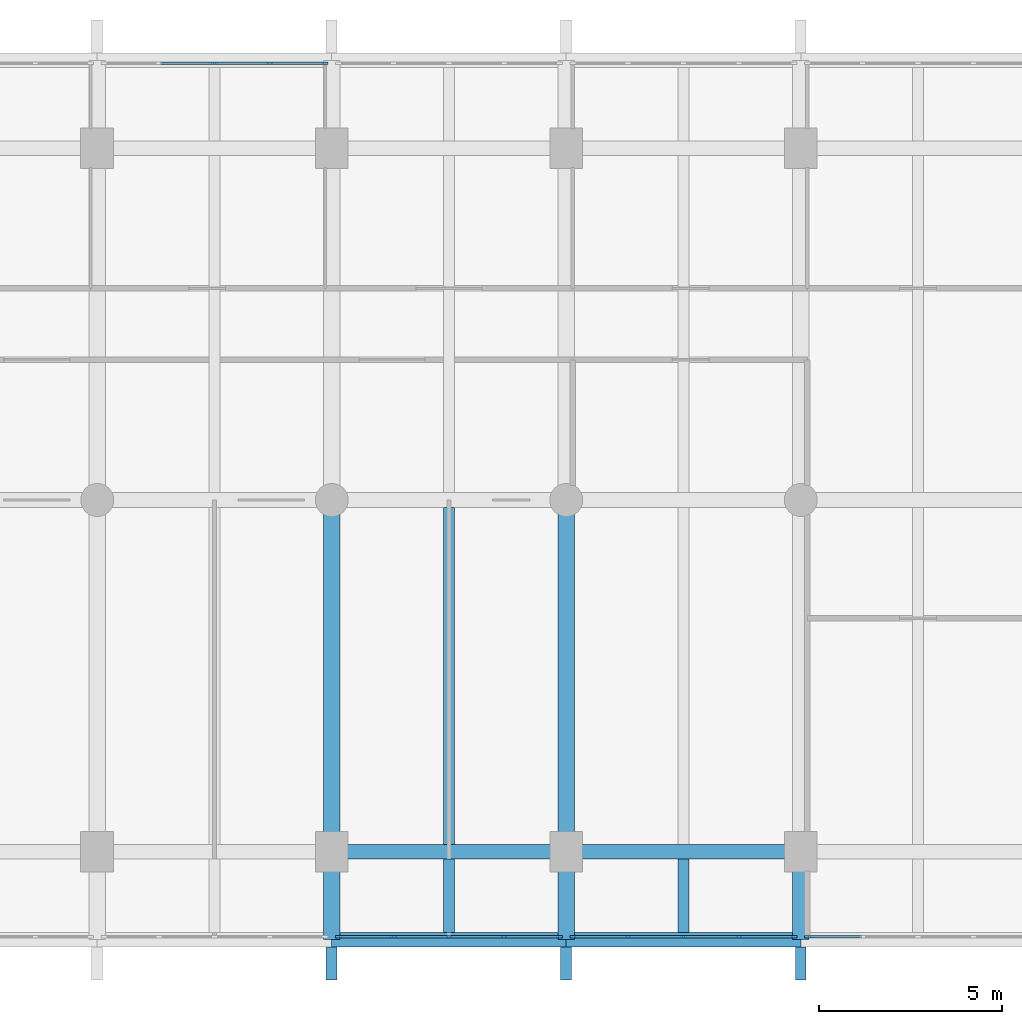
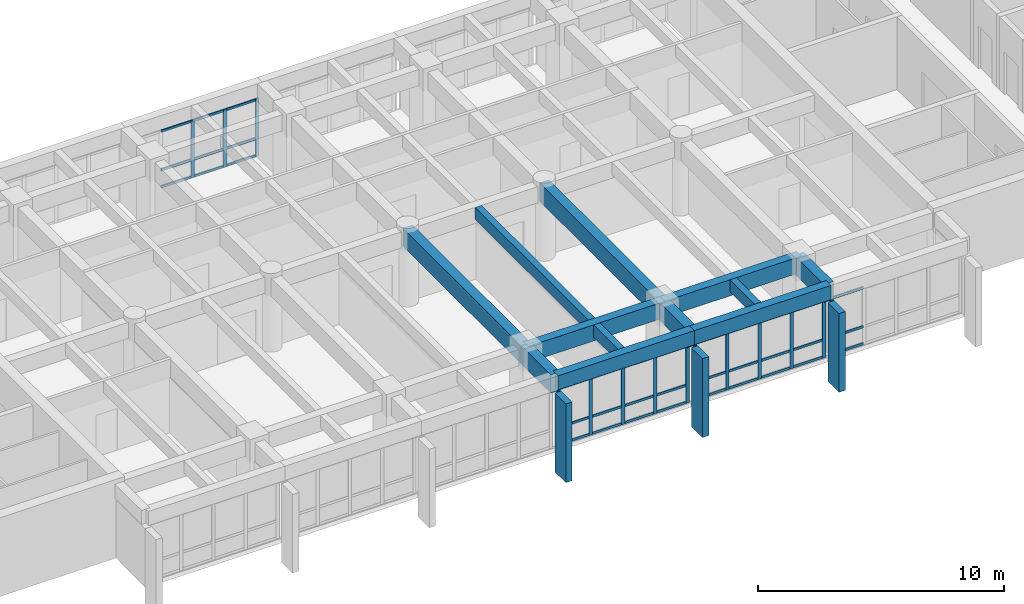
# One storey, part 4 of 15: 53 members, 12 beams, 4 elements without a shape of their own.
"""IFC4 building model written with IfcOpenShell, lengths in metres."""

from ifc_helpers import new_model, si_unit, direction, frame, origin, origin_2d, place, context, subcontext, project, spatial, rectangle, extrude, material, layer, layer_set, material_profile, profile_set, type_object, element, aggregate, save


model = new_model("IFC4")

# Units and contexts
model_context = context("Model", 3, precision=1e-05, world=origin(), true_north=direction((0.0, 1.0)))
body_context = subcontext(model_context, "Body", "Model", "MODEL_VIEW")
ifc_project = project(units=[si_unit("LENGTHUNIT", "METRE"), si_unit("AREAUNIT", "SQUARE_METRE"), si_unit("VOLUMEUNIT", "CUBIC_METRE"), si_unit("PLANEANGLEUNIT", "RADIAN"), si_unit("MASSUNIT", "GRAM", prefix="KILO")], contexts=[model_context])

# Site, building, storey
site_placement = place(None, origin())
site = spatial("IfcSite", under=ifc_project, at=site_placement, CompositionType="ELEMENT")
building_placement = place(site_placement, origin())
building = spatial("IfcBuilding", under=site, at=building_placement, Name="Fogon Plaza Fire Station and Headquarters Tower", CompositionType="ELEMENT")
storey_placement = place(building_placement, frame((0.0, 0.0, 44.39990234375)))
storey = spatial("IfcBuildingStorey", under=building, at=storey_placement, Name="L11", CompositionType="ELEMENT", Elevation=44.39990234375)

# Beams
ifc_material_1 = material(Name="Concrete C40", Category="concrete")
ifc_material_profile_1 = material_profile(ifc_material_1, rectangle(XDim=0.39990234375, YDim=0.699951171875, at=origin_2d()), Name="RC 400x700")
ifc_profile_set_1 = profile_set([ifc_material_profile_1], Name="Concrete C40")
beam_type_1 = type_object("IfcBeamType", Name="BEAM RC 400x700", PredefinedType="BEAM", material=ifc_profile_set_1)
beam_1_placement = place(storey_placement, frame((44.800048828125, 31.199951171875, 3.330078125), z_axis=(1.0, 0.0, 0.0), x_axis=(0.0, 1.0, 0.0)))
element("IfcBeam", 1, at=beam_1_placement, inside=storey, type_object=beam_type_1, Name="beam-L11-042", PredefinedType="BEAM", context=body_context, shape_type="SweptSolid", body=[
    extrude(rectangle(XDim=0.39990234375, YDim=0.699951171875, at=origin_2d()), origin(), (0.0, 0.0, 1.0), 6.39990234375),
])
beam_2_placement = place(storey_placement, frame((51.199951171875, 31.199951171875, 3.330078125), z_axis=(1.0, 0.0, 0.0), x_axis=(0.0, 1.0, 0.0)))
element("IfcBeam", 2, at=beam_2_placement, inside=storey, type_object=beam_type_1, Name="beam-L11-043", PredefinedType="BEAM", context=body_context, shape_type="SweptSolid", body=[
    extrude(rectangle(XDim=0.39990234375, YDim=0.699951171875, at=origin_2d()), origin(), (0.0, 0.0, 1.0), 6.400146484375),
])
ifc_material_2 = material(Name="Concrete C40", Category="concrete")
ifc_material_profile_2 = material_profile(ifc_material_2, rectangle(XDim=0.39990234375, YDim=0.800048828125, at=origin_2d()), Name="RC 400x800")
ifc_profile_set_2 = profile_set([ifc_material_profile_2], Name="Concrete C40")
beam_type_2 = type_object("IfcBeamType", Name="BEAM RC 400x800", PredefinedType="BEAM", material=ifc_profile_set_2)
beam_3_placement = place(storey_placement, frame((44.800048828125, 33.60009765625, 3.280029296875), z_axis=(1.0, 0.0, 0.0), x_axis=(0.0, 1.0, 0.0)))
element("IfcBeam", 3, at=beam_3_placement, inside=storey, type_object=beam_type_2, Name="beam-L11-024", PredefinedType="BEAM", context=body_context, shape_type="SweptSolid", body=[
    extrude(rectangle(XDim=0.39990234375, YDim=0.800048828125, at=origin_2d()), origin(), (0.0, 0.0, 1.0), 6.39990234375),
])
beam_4_placement = place(storey_placement, frame((51.199951171875, 33.60009765625, 3.280029296875), z_axis=(1.0, 0.0, 0.0), x_axis=(0.0, 1.0, 0.0)))
element("IfcBeam", 4, at=beam_4_placement, inside=storey, type_object=beam_type_2, Name="beam-L11-025", PredefinedType="BEAM", context=body_context, shape_type="SweptSolid", body=[
    extrude(rectangle(XDim=0.39990234375, YDim=0.800048828125, at=origin_2d()), origin(), (0.0, 0.0, 1.0), 6.400146484375),
])
ifc_material_3 = material(Name="Concrete C40", Category="concrete")
ifc_material_profile_3 = material_profile(ifc_material_3, rectangle(XDim=0.449951171875, YDim=0.89990234375, at=origin_2d()), Name="RC 450x900")
ifc_profile_set_3 = profile_set([ifc_material_profile_3], Name="Concrete C40")
beam_type_3 = type_object("IfcBeamType", Name="BEAM RC 450x900", PredefinedType="BEAM", material=ifc_profile_set_3)
for number, where, z_axis, x_axis, name in (
    (5, (44.800048828125, 33.60009765625, 3.22998046875), (0.0, 1.0, 0.0), (-1.0, 0.0, 0.0), "beam-L11-010"),
    (6, (51.199951171875, 33.60009765625, 3.22998046875), (0.0, 1.0, 0.0), (-1.0, 0.0, 0.0), "beam-L11-014"),
):
    element("IfcBeam", number, at=place(storey_placement, frame(where, z_axis=z_axis, x_axis=x_axis)), inside=storey, type_object=beam_type_3, Name=name, PredefinedType="BEAM", context=body_context, shape_type="SweptSolid", body=[
        extrude(rectangle(XDim=0.449951171875, YDim=0.89990234375, at=origin_2d()), origin(), (0.0, 0.0, 1.0), 9.599853515625),
    ])
ifc_material_4 = material(Name="Concrete C40", Category="concrete")
ifc_material_profile_4 = material_profile(ifc_material_4, rectangle(XDim=0.449951171875, YDim=0.89990234375, at=origin_2d()), Name="RC 450x900")
ifc_profile_set_4 = profile_set([ifc_material_profile_4], Name="Concrete C40")
beam_type_4 = type_object("IfcBeamType", Name="BEAM RC 450x900 SPAN 0.0 TO 3.0 M", PredefinedType="BEAM", material=ifc_profile_set_4)
for number, where, z_axis, x_axis, name in (
    (7, (44.800048828125, 31.199951171875, 3.22998046875), (0.0, 1.0, 0.0), (-1.0, 0.0, 0.0), "beam-L11-009"),
    (8, (51.199951171875, 31.199951171875, 3.22998046875), (0.0, 1.0, 0.0), (-1.0, 0.0, 0.0), "beam-L11-013"),
    (9, (57.60009765625, 31.199951171875, 3.22998046875), (0.0, 1.0, 0.0), (-1.0, 0.0, 0.0), "beam-L11-017"),
):
    element("IfcBeam", number, at=place(storey_placement, frame(where, z_axis=z_axis, x_axis=x_axis)), inside=storey, type_object=beam_type_4, Name=name, PredefinedType="BEAM", context=body_context, shape_type="SweptSolid", body=[
        extrude(rectangle(XDim=0.449951171875, YDim=0.89990234375, at=origin_2d()), origin(), (0.0, 0.0, 1.0), 2.400146484375),
    ])

# Curtain wall, members
ifc_material_5 = material(Name="Aluminium and glass", Category="aluminium")
ifc_layer = layer(ifc_material_5, 0.14990234375)
ifc_layer_set = layer_set([ifc_layer], Name="Aluminium and glass")
curtain_wall_type = type_object("IfcCurtainWallType", Name="Unitised Curtain Wall Run 6100x2880", PredefinedType="NOTDEFINED", material=ifc_layer_set)
curtain_wall_1_placement = place(storey_placement, origin())
curtain_wall_1 = element("IfcCurtainWall", 10, at=curtain_wall_1_placement, inside=storey, type_object=curtain_wall_type, Name="CW-6100x2880 S4 L11", PredefinedType="NOTDEFINED")
ifc_material_6 = material(Name="Aluminium", Category="aluminium")
ifc_material_profile_5 = material_profile(ifc_material_6, rectangle(XDim=0.06005859375, YDim=0.159912109375, at=origin_2d()), Name="Curtain Wall Mullion 60x160")
ifc_profile_set_5 = profile_set([ifc_material_profile_5], Name="Aluminium")
member_type_1 = type_object("IfcMemberType", Name="Curtain Wall Mullion 60x160", PredefinedType="MULLION", material=ifc_profile_set_5)
member_1_placement = place(storey_placement, frame((44.97998046875, 31.280029296875, 0.0), z_axis=(0.0, 0.0, 1.0), x_axis=(0.0, 1.0, 0.0)))
member_1 = element("IfcMember", 11, at=member_1_placement, type_object=member_type_1, Name="CW-6100x2880 mullion 1", PredefinedType="MULLION", context=body_context, shape_type="SweptSolid", body=[
    extrude(rectangle(XDim=0.06005859375, YDim=0.159912109375, at=origin_2d()), origin(), (0.0, 0.0, 1.0), 2.880126953125),
])
member_2_placement = place(storey_placement, frame((46.489990234375, 31.280029296875, 0.0), z_axis=(0.0, 0.0, 1.0), x_axis=(0.0, 1.0, 0.0)))
member_2 = element("IfcMember", 12, at=member_2_placement, type_object=member_type_1, Name="CW-6100x2880 mullion 2", PredefinedType="MULLION", context=body_context, shape_type="SweptSolid", body=[
    extrude(rectangle(XDim=0.06005859375, YDim=0.159912109375, at=origin_2d()), origin(), (0.0, 0.0, 1.0), 2.880126953125),
])
member_3_placement = place(storey_placement, frame((48.0, 31.280029296875, 0.0), z_axis=(0.0, 0.0, 1.0), x_axis=(0.0, 1.0, 0.0)))
member_3 = element("IfcMember", 13, at=member_3_placement, type_object=member_type_1, Name="CW-6100x2880 mullion 3", PredefinedType="MULLION", context=body_context, shape_type="SweptSolid", body=[
    extrude(rectangle(XDim=0.06005859375, YDim=0.159912109375, at=origin_2d()), origin(), (0.0, 0.0, 1.0), 2.880126953125),
])
member_4_placement = place(storey_placement, frame((49.510009765625, 31.280029296875, 0.0), z_axis=(0.0, 0.0, 1.0), x_axis=(0.0, 1.0, 0.0)))
member_4 = element("IfcMember", 14, at=member_4_placement, type_object=member_type_1, Name="CW-6100x2880 mullion 4", PredefinedType="MULLION", context=body_context, shape_type="SweptSolid", body=[
    extrude(rectangle(XDim=0.06005859375, YDim=0.159912109375, at=origin_2d()), origin(), (0.0, 0.0, 1.0), 2.880126953125),
])
member_5_placement = place(storey_placement, frame((51.02001953125, 31.280029296875, 0.0), z_axis=(0.0, 0.0, 1.0), x_axis=(0.0, 1.0, 0.0)))
member_5 = element("IfcMember", 15, at=member_5_placement, type_object=member_type_1, Name="CW-6100x2880 mullion 5", PredefinedType="MULLION", context=body_context, shape_type="SweptSolid", body=[
    extrude(rectangle(XDim=0.06005859375, YDim=0.159912109375, at=origin_2d()), origin(), (0.0, 0.0, 1.0), 2.880126953125),
])

curtain_wall_2_placement = place(storey_placement, origin())
curtain_wall_2 = element("IfcCurtainWall", 16, at=curtain_wall_2_placement, inside=storey, type_object=curtain_wall_type, Name="CW-6100x2880 S5 L11", PredefinedType="NOTDEFINED")
member_6_placement = place(storey_placement, frame((51.3798828125, 31.280029296875, 0.0), z_axis=(0.0, 0.0, 1.0), x_axis=(0.0, 1.0, 0.0)))
member_6 = element("IfcMember", 17, at=member_6_placement, type_object=member_type_1, Name="CW-6100x2880 mullion 1", PredefinedType="MULLION", context=body_context, shape_type="SweptSolid", body=[
    extrude(rectangle(XDim=0.06005859375, YDim=0.159912109375, at=origin_2d()), origin(), (0.0, 0.0, 1.0), 2.880126953125),
])
member_7_placement = place(storey_placement, frame((52.889892578125, 31.280029296875, 0.0), z_axis=(0.0, 0.0, 1.0), x_axis=(0.0, 1.0, 0.0)))
member_7 = element("IfcMember", 18, at=member_7_placement, type_object=member_type_1, Name="CW-6100x2880 mullion 2", PredefinedType="MULLION", context=body_context, shape_type="SweptSolid", body=[
    extrude(rectangle(XDim=0.06005859375, YDim=0.159912109375, at=origin_2d()), origin(), (0.0, 0.0, 1.0), 2.880126953125),
])
member_8_placement = place(storey_placement, frame((54.39990234375, 31.280029296875, 0.0), z_axis=(0.0, 0.0, 1.0), x_axis=(0.0, 1.0, 0.0)))
member_8 = element("IfcMember", 19, at=member_8_placement, type_object=member_type_1, Name="CW-6100x2880 mullion 3", PredefinedType="MULLION", context=body_context, shape_type="SweptSolid", body=[
    extrude(rectangle(XDim=0.06005859375, YDim=0.159912109375, at=origin_2d()), origin(), (0.0, 0.0, 1.0), 2.880126953125),
])
member_9_placement = place(storey_placement, frame((55.909912109375, 31.280029296875, 0.0), z_axis=(0.0, 0.0, 1.0), x_axis=(0.0, 1.0, 0.0)))
member_9 = element("IfcMember", 20, at=member_9_placement, type_object=member_type_1, Name="CW-6100x2880 mullion 4", PredefinedType="MULLION", context=body_context, shape_type="SweptSolid", body=[
    extrude(rectangle(XDim=0.06005859375, YDim=0.159912109375, at=origin_2d()), origin(), (0.0, 0.0, 1.0), 2.880126953125),
])
member_10_placement = place(storey_placement, frame((57.419921875, 31.280029296875, 0.0), z_axis=(0.0, 0.0, 1.0), x_axis=(0.0, 1.0, 0.0)))
member_10 = element("IfcMember", 21, at=member_10_placement, type_object=member_type_1, Name="CW-6100x2880 mullion 5", PredefinedType="MULLION", context=body_context, shape_type="SweptSolid", body=[
    extrude(rectangle(XDim=0.06005859375, YDim=0.159912109375, at=origin_2d()), origin(), (0.0, 0.0, 1.0), 2.880126953125),
])

# Curtain wall, member
curtain_wall_3_placement = place(storey_placement, origin())
curtain_wall_3 = element("IfcCurtainWall", 22, at=curtain_wall_3_placement, inside=storey, type_object=curtain_wall_type, Name="CW-6100x2880 S6 L11", PredefinedType="NOTDEFINED")
member_11_placement = place(storey_placement, frame((57.780029296875, 31.280029296875, 0.0), z_axis=(0.0, 0.0, 1.0), x_axis=(0.0, 1.0, 0.0)))
member_11 = element("IfcMember", 23, at=member_11_placement, type_object=member_type_1, Name="CW-6100x2880 mullion 1", PredefinedType="MULLION", context=body_context, shape_type="SweptSolid", body=[
    extrude(rectangle(XDim=0.06005859375, YDim=0.159912109375, at=origin_2d()), origin(), (0.0, 0.0, 1.0), 2.880126953125),
])

# Curtain wall, members
curtain_wall_4_placement = place(storey_placement, origin())
curtain_wall_4 = element("IfcCurtainWall", 24, at=curtain_wall_4_placement, inside=storey, type_object=curtain_wall_type, Name="CW-6100x2880 N3 L11", PredefinedType="NOTDEFINED")
member_12_placement = place(storey_placement, frame((41.60009765625, 55.1201171875, 0.0), z_axis=(0.0, 0.0, 1.0), x_axis=(0.0, 1.0, 0.0)))
member_12 = element("IfcMember", 25, at=member_12_placement, type_object=member_type_1, Name="CW-6100x2880 mullion 3", PredefinedType="MULLION", context=body_context, shape_type="SweptSolid", body=[
    extrude(rectangle(XDim=0.06005859375, YDim=0.159912109375, at=origin_2d()), origin(), (0.0, 0.0, 1.0), 2.880126953125),
])
member_13_placement = place(storey_placement, frame((43.110107421875, 55.1201171875, 0.0), z_axis=(0.0, 0.0, 1.0), x_axis=(0.0, 1.0, 0.0)))
member_13 = element("IfcMember", 26, at=member_13_placement, type_object=member_type_1, Name="CW-6100x2880 mullion 4", PredefinedType="MULLION", context=body_context, shape_type="SweptSolid", body=[
    extrude(rectangle(XDim=0.06005859375, YDim=0.159912109375, at=origin_2d()), origin(), (0.0, 0.0, 1.0), 2.880126953125),
])
member_14_placement = place(storey_placement, frame((44.6201171875, 55.1201171875, 0.0), z_axis=(0.0, 0.0, 1.0), x_axis=(0.0, 1.0, 0.0)))
member_14 = element("IfcMember", 27, at=member_14_placement, type_object=member_type_1, Name="CW-6100x2880 mullion 5", PredefinedType="MULLION", context=body_context, shape_type="SweptSolid", body=[
    extrude(rectangle(XDim=0.06005859375, YDim=0.159912109375, at=origin_2d()), origin(), (0.0, 0.0, 1.0), 2.880126953125),
])

# Member
ifc_material_7 = material(Name="Aluminium", Category="aluminium")
ifc_material_profile_6 = material_profile(ifc_material_7, rectangle(XDim=0.06005859375, YDim=0.1201171875, at=origin_2d()), Name="Curtain Wall Transom 60x120")
ifc_profile_set_6 = profile_set([ifc_material_profile_6], Name="Aluminium")
member_type_2 = type_object("IfcMemberType", Name="Curtain Wall Transom 60x120", PredefinedType="USERDEFINED", material=ifc_profile_set_6)
member_15_placement = place(storey_placement, frame((45.010009765625, 31.280029296875, 0.06005859375), z_axis=(1.0, 0.0, 0.0), x_axis=(0.0, 1.0, 0.0)))
member_15 = element("IfcMember", 28, at=member_15_placement, type_object=member_type_2, Name="CW-6100x2880 transom 1.1", ObjectType="TRANSOM", PredefinedType="USERDEFINED", context=body_context, shape_type="SweptSolid", body=[
    extrude(rectangle(XDim=0.06005859375, YDim=0.1201171875, at=origin_2d()), origin(), (0.0, 0.0, 1.0), 1.449951171875),
])

member_16_placement = place(storey_placement, frame((45.010009765625, 31.280029296875, 0.900146484375), z_axis=(1.0, 0.0, 0.0), x_axis=(0.0, 1.0, 0.0)))
member_16 = element("IfcMember", 29, at=member_16_placement, type_object=member_type_2, Name="CW-6100x2880 transom 1.2", ObjectType="TRANSOM", PredefinedType="USERDEFINED", context=body_context, shape_type="SweptSolid", body=[
    extrude(rectangle(XDim=0.06005859375, YDim=0.1201171875, at=origin_2d()), origin(), (0.0, 0.0, 1.0), 1.449951171875),
])

member_17_placement = place(storey_placement, frame((45.010009765625, 31.280029296875, 2.820068359375), z_axis=(1.0, 0.0, 0.0), x_axis=(0.0, 1.0, 0.0)))
member_17 = element("IfcMember", 30, at=member_17_placement, type_object=member_type_2, Name="CW-6100x2880 transom 1.3", ObjectType="TRANSOM", PredefinedType="USERDEFINED", context=body_context, shape_type="SweptSolid", body=[
    extrude(rectangle(XDim=0.06005859375, YDim=0.1201171875, at=origin_2d()), origin(), (0.0, 0.0, 1.0), 1.449951171875),
])

member_18_placement = place(storey_placement, frame((46.52001953125, 31.280029296875, 0.06005859375), z_axis=(1.0, 0.0, 0.0), x_axis=(0.0, 1.0, 0.0)))
member_18 = element("IfcMember", 31, at=member_18_placement, type_object=member_type_2, Name="CW-6100x2880 transom 2.1", ObjectType="TRANSOM", PredefinedType="USERDEFINED", context=body_context, shape_type="SweptSolid", body=[
    extrude(rectangle(XDim=0.06005859375, YDim=0.1201171875, at=origin_2d()), origin(), (0.0, 0.0, 1.0), 1.449951171875),
])

member_19_placement = place(storey_placement, frame((46.52001953125, 31.280029296875, 0.900146484375), z_axis=(1.0, 0.0, 0.0), x_axis=(0.0, 1.0, 0.0)))
member_19 = element("IfcMember", 32, at=member_19_placement, type_object=member_type_2, Name="CW-6100x2880 transom 2.2", ObjectType="TRANSOM", PredefinedType="USERDEFINED", context=body_context, shape_type="SweptSolid", body=[
    extrude(rectangle(XDim=0.06005859375, YDim=0.1201171875, at=origin_2d()), origin(), (0.0, 0.0, 1.0), 1.449951171875),
])

member_20_placement = place(storey_placement, frame((46.52001953125, 31.280029296875, 2.820068359375), z_axis=(1.0, 0.0, 0.0), x_axis=(0.0, 1.0, 0.0)))
member_20 = element("IfcMember", 33, at=member_20_placement, type_object=member_type_2, Name="CW-6100x2880 transom 2.3", ObjectType="TRANSOM", PredefinedType="USERDEFINED", context=body_context, shape_type="SweptSolid", body=[
    extrude(rectangle(XDim=0.06005859375, YDim=0.1201171875, at=origin_2d()), origin(), (0.0, 0.0, 1.0), 1.449951171875),
])

member_21_placement = place(storey_placement, frame((48.030029296875, 31.280029296875, 0.06005859375), z_axis=(1.0, 0.0, 0.0), x_axis=(0.0, 1.0, 0.0)))
member_21 = element("IfcMember", 34, at=member_21_placement, type_object=member_type_2, Name="CW-6100x2880 transom 3.1", ObjectType="TRANSOM", PredefinedType="USERDEFINED", context=body_context, shape_type="SweptSolid", body=[
    extrude(rectangle(XDim=0.06005859375, YDim=0.1201171875, at=origin_2d()), origin(), (0.0, 0.0, 1.0), 1.449951171875),
])

member_22_placement = place(storey_placement, frame((48.030029296875, 31.280029296875, 0.900146484375), z_axis=(1.0, 0.0, 0.0), x_axis=(0.0, 1.0, 0.0)))
member_22 = element("IfcMember", 35, at=member_22_placement, type_object=member_type_2, Name="CW-6100x2880 transom 3.2", ObjectType="TRANSOM", PredefinedType="USERDEFINED", context=body_context, shape_type="SweptSolid", body=[
    extrude(rectangle(XDim=0.06005859375, YDim=0.1201171875, at=origin_2d()), origin(), (0.0, 0.0, 1.0), 1.449951171875),
])

member_23_placement = place(storey_placement, frame((48.030029296875, 31.280029296875, 2.820068359375), z_axis=(1.0, 0.0, 0.0), x_axis=(0.0, 1.0, 0.0)))
member_23 = element("IfcMember", 36, at=member_23_placement, type_object=member_type_2, Name="CW-6100x2880 transom 3.3", ObjectType="TRANSOM", PredefinedType="USERDEFINED", context=body_context, shape_type="SweptSolid", body=[
    extrude(rectangle(XDim=0.06005859375, YDim=0.1201171875, at=origin_2d()), origin(), (0.0, 0.0, 1.0), 1.449951171875),
])

member_24_placement = place(storey_placement, frame((49.5400390625, 31.280029296875, 0.06005859375), z_axis=(1.0, 0.0, 0.0), x_axis=(0.0, 1.0, 0.0)))
member_24 = element("IfcMember", 37, at=member_24_placement, type_object=member_type_2, Name="CW-6100x2880 transom 4.1", ObjectType="TRANSOM", PredefinedType="USERDEFINED", context=body_context, shape_type="SweptSolid", body=[
    extrude(rectangle(XDim=0.06005859375, YDim=0.1201171875, at=origin_2d()), origin(), (0.0, 0.0, 1.0), 1.449951171875),
])

member_25_placement = place(storey_placement, frame((49.5400390625, 31.280029296875, 0.900146484375), z_axis=(1.0, 0.0, 0.0), x_axis=(0.0, 1.0, 0.0)))
member_25 = element("IfcMember", 38, at=member_25_placement, type_object=member_type_2, Name="CW-6100x2880 transom 4.2", ObjectType="TRANSOM", PredefinedType="USERDEFINED", context=body_context, shape_type="SweptSolid", body=[
    extrude(rectangle(XDim=0.06005859375, YDim=0.1201171875, at=origin_2d()), origin(), (0.0, 0.0, 1.0), 1.449951171875),
])

member_26_placement = place(storey_placement, frame((49.5400390625, 31.280029296875, 2.820068359375), z_axis=(1.0, 0.0, 0.0), x_axis=(0.0, 1.0, 0.0)))
member_26 = element("IfcMember", 39, at=member_26_placement, type_object=member_type_2, Name="CW-6100x2880 transom 4.3", ObjectType="TRANSOM", PredefinedType="USERDEFINED", context=body_context, shape_type="SweptSolid", body=[
    extrude(rectangle(XDim=0.06005859375, YDim=0.1201171875, at=origin_2d()), origin(), (0.0, 0.0, 1.0), 1.449951171875),
])

aggregate(curtain_wall_1, [member_1, member_2, member_3, member_4, member_5, member_15, member_16, member_17, member_18, member_19, member_20, member_21, member_22, member_23, member_24, member_25, member_26])

member_27_placement = place(storey_placement, frame((51.409912109375, 31.280029296875, 0.06005859375), z_axis=(1.0, 0.0, 0.0), x_axis=(0.0, 1.0, 0.0)))
member_27 = element("IfcMember", 40, at=member_27_placement, type_object=member_type_2, Name="CW-6100x2880 transom 1.1", ObjectType="TRANSOM", PredefinedType="USERDEFINED", context=body_context, shape_type="SweptSolid", body=[
    extrude(rectangle(XDim=0.06005859375, YDim=0.1201171875, at=origin_2d()), origin(), (0.0, 0.0, 1.0), 1.4501953125),
])

member_28_placement = place(storey_placement, frame((51.409912109375, 31.280029296875, 0.900146484375), z_axis=(1.0, 0.0, 0.0), x_axis=(0.0, 1.0, 0.0)))
member_28 = element("IfcMember", 41, at=member_28_placement, type_object=member_type_2, Name="CW-6100x2880 transom 1.2", ObjectType="TRANSOM", PredefinedType="USERDEFINED", context=body_context, shape_type="SweptSolid", body=[
    extrude(rectangle(XDim=0.06005859375, YDim=0.1201171875, at=origin_2d()), origin(), (0.0, 0.0, 1.0), 1.4501953125),
])

member_29_placement = place(storey_placement, frame((51.409912109375, 31.280029296875, 2.820068359375), z_axis=(1.0, 0.0, 0.0), x_axis=(0.0, 1.0, 0.0)))
member_29 = element("IfcMember", 42, at=member_29_placement, type_object=member_type_2, Name="CW-6100x2880 transom 1.3", ObjectType="TRANSOM", PredefinedType="USERDEFINED", context=body_context, shape_type="SweptSolid", body=[
    extrude(rectangle(XDim=0.06005859375, YDim=0.1201171875, at=origin_2d()), origin(), (0.0, 0.0, 1.0), 1.4501953125),
])

member_30_placement = place(storey_placement, frame((52.919921875, 31.280029296875, 0.06005859375), z_axis=(1.0, 0.0, 0.0), x_axis=(0.0, 1.0, 0.0)))
member_30 = element("IfcMember", 43, at=member_30_placement, type_object=member_type_2, Name="CW-6100x2880 transom 2.1", ObjectType="TRANSOM", PredefinedType="USERDEFINED", context=body_context, shape_type="SweptSolid", body=[
    extrude(rectangle(XDim=0.06005859375, YDim=0.1201171875, at=origin_2d()), origin(), (0.0, 0.0, 1.0), 1.4501953125),
])

member_31_placement = place(storey_placement, frame((52.919921875, 31.280029296875, 0.900146484375), z_axis=(1.0, 0.0, 0.0), x_axis=(0.0, 1.0, 0.0)))
member_31 = element("IfcMember", 44, at=member_31_placement, type_object=member_type_2, Name="CW-6100x2880 transom 2.2", ObjectType="TRANSOM", PredefinedType="USERDEFINED", context=body_context, shape_type="SweptSolid", body=[
    extrude(rectangle(XDim=0.06005859375, YDim=0.1201171875, at=origin_2d()), origin(), (0.0, 0.0, 1.0), 1.4501953125),
])

member_32_placement = place(storey_placement, frame((52.919921875, 31.280029296875, 2.820068359375), z_axis=(1.0, 0.0, 0.0), x_axis=(0.0, 1.0, 0.0)))
member_32 = element("IfcMember", 45, at=member_32_placement, type_object=member_type_2, Name="CW-6100x2880 transom 2.3", ObjectType="TRANSOM", PredefinedType="USERDEFINED", context=body_context, shape_type="SweptSolid", body=[
    extrude(rectangle(XDim=0.06005859375, YDim=0.1201171875, at=origin_2d()), origin(), (0.0, 0.0, 1.0), 1.4501953125),
])

member_33_placement = place(storey_placement, frame((54.429931640625, 31.280029296875, 0.06005859375), z_axis=(1.0, 0.0, 0.0), x_axis=(0.0, 1.0, 0.0)))
member_33 = element("IfcMember", 46, at=member_33_placement, type_object=member_type_2, Name="CW-6100x2880 transom 3.1", ObjectType="TRANSOM", PredefinedType="USERDEFINED", context=body_context, shape_type="SweptSolid", body=[
    extrude(rectangle(XDim=0.06005859375, YDim=0.1201171875, at=origin_2d()), origin(), (0.0, 0.0, 1.0), 1.449951171875),
])

member_34_placement = place(storey_placement, frame((54.429931640625, 31.280029296875, 0.900146484375), z_axis=(1.0, 0.0, 0.0), x_axis=(0.0, 1.0, 0.0)))
member_34 = element("IfcMember", 47, at=member_34_placement, type_object=member_type_2, Name="CW-6100x2880 transom 3.2", ObjectType="TRANSOM", PredefinedType="USERDEFINED", context=body_context, shape_type="SweptSolid", body=[
    extrude(rectangle(XDim=0.06005859375, YDim=0.1201171875, at=origin_2d()), origin(), (0.0, 0.0, 1.0), 1.449951171875),
])

member_35_placement = place(storey_placement, frame((54.429931640625, 31.280029296875, 2.820068359375), z_axis=(1.0, 0.0, 0.0), x_axis=(0.0, 1.0, 0.0)))
member_35 = element("IfcMember", 48, at=member_35_placement, type_object=member_type_2, Name="CW-6100x2880 transom 3.3", ObjectType="TRANSOM", PredefinedType="USERDEFINED", context=body_context, shape_type="SweptSolid", body=[
    extrude(rectangle(XDim=0.06005859375, YDim=0.1201171875, at=origin_2d()), origin(), (0.0, 0.0, 1.0), 1.449951171875),
])

member_36_placement = place(storey_placement, frame((55.93994140625, 31.280029296875, 0.06005859375), z_axis=(1.0, 0.0, 0.0), x_axis=(0.0, 1.0, 0.0)))
member_36 = element("IfcMember", 49, at=member_36_placement, type_object=member_type_2, Name="CW-6100x2880 transom 4.1", ObjectType="TRANSOM", PredefinedType="USERDEFINED", context=body_context, shape_type="SweptSolid", body=[
    extrude(rectangle(XDim=0.06005859375, YDim=0.1201171875, at=origin_2d()), origin(), (0.0, 0.0, 1.0), 1.449951171875),
])

member_37_placement = place(storey_placement, frame((55.93994140625, 31.280029296875, 0.900146484375), z_axis=(1.0, 0.0, 0.0), x_axis=(0.0, 1.0, 0.0)))
member_37 = element("IfcMember", 50, at=member_37_placement, type_object=member_type_2, Name="CW-6100x2880 transom 4.2", ObjectType="TRANSOM", PredefinedType="USERDEFINED", context=body_context, shape_type="SweptSolid", body=[
    extrude(rectangle(XDim=0.06005859375, YDim=0.1201171875, at=origin_2d()), origin(), (0.0, 0.0, 1.0), 1.449951171875),
])

member_38_placement = place(storey_placement, frame((55.93994140625, 31.280029296875, 2.820068359375), z_axis=(1.0, 0.0, 0.0), x_axis=(0.0, 1.0, 0.0)))
member_38 = element("IfcMember", 51, at=member_38_placement, type_object=member_type_2, Name="CW-6100x2880 transom 4.3", ObjectType="TRANSOM", PredefinedType="USERDEFINED", context=body_context, shape_type="SweptSolid", body=[
    extrude(rectangle(XDim=0.06005859375, YDim=0.1201171875, at=origin_2d()), origin(), (0.0, 0.0, 1.0), 1.449951171875),
])

aggregate(curtain_wall_2, [member_6, member_7, member_8, member_9, member_10, member_27, member_28, member_29, member_30, member_31, member_32, member_33, member_34, member_35, member_36, member_37, member_38])

member_39_placement = place(storey_placement, frame((57.81005859375, 31.280029296875, 0.06005859375), z_axis=(1.0, 0.0, 0.0), x_axis=(0.0, 1.0, 0.0)))
member_39 = element("IfcMember", 52, at=member_39_placement, type_object=member_type_2, Name="CW-6100x2880 transom 1.1", ObjectType="TRANSOM", PredefinedType="USERDEFINED", context=body_context, shape_type="SweptSolid", body=[
    extrude(rectangle(XDim=0.06005859375, YDim=0.1201171875, at=origin_2d()), origin(), (0.0, 0.0, 1.0), 1.449951171875),
])

member_40_placement = place(storey_placement, frame((57.81005859375, 31.280029296875, 0.900146484375), z_axis=(1.0, 0.0, 0.0), x_axis=(0.0, 1.0, 0.0)))
member_40 = element("IfcMember", 53, at=member_40_placement, type_object=member_type_2, Name="CW-6100x2880 transom 1.2", ObjectType="TRANSOM", PredefinedType="USERDEFINED", context=body_context, shape_type="SweptSolid", body=[
    extrude(rectangle(XDim=0.06005859375, YDim=0.1201171875, at=origin_2d()), origin(), (0.0, 0.0, 1.0), 1.449951171875),
])

member_41_placement = place(storey_placement, frame((57.81005859375, 31.280029296875, 2.820068359375), z_axis=(1.0, 0.0, 0.0), x_axis=(0.0, 1.0, 0.0)))
member_41 = element("IfcMember", 54, at=member_41_placement, type_object=member_type_2, Name="CW-6100x2880 transom 1.3", ObjectType="TRANSOM", PredefinedType="USERDEFINED", context=body_context, shape_type="SweptSolid", body=[
    extrude(rectangle(XDim=0.06005859375, YDim=0.1201171875, at=origin_2d()), origin(), (0.0, 0.0, 1.0), 1.449951171875),
])

aggregate(curtain_wall_3, [member_11, member_39, member_40, member_41])

member_42_placement = place(storey_placement, frame((40.1201171875, 55.1201171875, 0.06005859375), z_axis=(1.0, 0.0, 0.0), x_axis=(0.0, 1.0, 0.0)))
member_42 = element("IfcMember", 55, at=member_42_placement, type_object=member_type_2, Name="CW-6100x2880 transom 2.1", ObjectType="TRANSOM", PredefinedType="USERDEFINED", context=body_context, shape_type="SweptSolid", body=[
    extrude(rectangle(XDim=0.06005859375, YDim=0.1201171875, at=origin_2d()), origin(), (0.0, 0.0, 1.0), 1.449951171875),
])

member_43_placement = place(storey_placement, frame((40.1201171875, 55.1201171875, 0.900146484375), z_axis=(1.0, 0.0, 0.0), x_axis=(0.0, 1.0, 0.0)))
member_43 = element("IfcMember", 56, at=member_43_placement, type_object=member_type_2, Name="CW-6100x2880 transom 2.2", ObjectType="TRANSOM", PredefinedType="USERDEFINED", context=body_context, shape_type="SweptSolid", body=[
    extrude(rectangle(XDim=0.06005859375, YDim=0.1201171875, at=origin_2d()), origin(), (0.0, 0.0, 1.0), 1.449951171875),
])

member_44_placement = place(storey_placement, frame((40.1201171875, 55.1201171875, 2.820068359375), z_axis=(1.0, 0.0, 0.0), x_axis=(0.0, 1.0, 0.0)))
member_44 = element("IfcMember", 57, at=member_44_placement, type_object=member_type_2, Name="CW-6100x2880 transom 2.3", ObjectType="TRANSOM", PredefinedType="USERDEFINED", context=body_context, shape_type="SweptSolid", body=[
    extrude(rectangle(XDim=0.06005859375, YDim=0.1201171875, at=origin_2d()), origin(), (0.0, 0.0, 1.0), 1.449951171875),
])

member_45_placement = place(storey_placement, frame((41.6298828125, 55.1201171875, 0.06005859375), z_axis=(1.0, 0.0, 0.0), x_axis=(0.0, 1.0, 0.0)))
member_45 = element("IfcMember", 58, at=member_45_placement, type_object=member_type_2, Name="CW-6100x2880 transom 3.1", ObjectType="TRANSOM", PredefinedType="USERDEFINED", context=body_context, shape_type="SweptSolid", body=[
    extrude(rectangle(XDim=0.06005859375, YDim=0.1201171875, at=origin_2d()), origin(), (0.0, 0.0, 1.0), 1.4501953125),
])

member_46_placement = place(storey_placement, frame((41.6298828125, 55.1201171875, 0.900146484375), z_axis=(1.0, 0.0, 0.0), x_axis=(0.0, 1.0, 0.0)))
member_46 = element("IfcMember", 59, at=member_46_placement, type_object=member_type_2, Name="CW-6100x2880 transom 3.2", ObjectType="TRANSOM", PredefinedType="USERDEFINED", context=body_context, shape_type="SweptSolid", body=[
    extrude(rectangle(XDim=0.06005859375, YDim=0.1201171875, at=origin_2d()), origin(), (0.0, 0.0, 1.0), 1.4501953125),
])

member_47_placement = place(storey_placement, frame((41.6298828125, 55.1201171875, 2.820068359375), z_axis=(1.0, 0.0, 0.0), x_axis=(0.0, 1.0, 0.0)))
member_47 = element("IfcMember", 60, at=member_47_placement, type_object=member_type_2, Name="CW-6100x2880 transom 3.3", ObjectType="TRANSOM", PredefinedType="USERDEFINED", context=body_context, shape_type="SweptSolid", body=[
    extrude(rectangle(XDim=0.06005859375, YDim=0.1201171875, at=origin_2d()), origin(), (0.0, 0.0, 1.0), 1.4501953125),
])

member_48_placement = place(storey_placement, frame((43.139892578125, 55.1201171875, 0.06005859375), z_axis=(1.0, 0.0, 0.0), x_axis=(0.0, 1.0, 0.0)))
member_48 = element("IfcMember", 61, at=member_48_placement, type_object=member_type_2, Name="CW-6100x2880 transom 4.1", ObjectType="TRANSOM", PredefinedType="USERDEFINED", context=body_context, shape_type="SweptSolid", body=[
    extrude(rectangle(XDim=0.06005859375, YDim=0.1201171875, at=origin_2d()), origin(), (0.0, 0.0, 1.0), 1.4501953125),
])

member_49_placement = place(storey_placement, frame((43.139892578125, 55.1201171875, 0.900146484375), z_axis=(1.0, 0.0, 0.0), x_axis=(0.0, 1.0, 0.0)))
member_49 = element("IfcMember", 62, at=member_49_placement, type_object=member_type_2, Name="CW-6100x2880 transom 4.2", ObjectType="TRANSOM", PredefinedType="USERDEFINED", context=body_context, shape_type="SweptSolid", body=[
    extrude(rectangle(XDim=0.06005859375, YDim=0.1201171875, at=origin_2d()), origin(), (0.0, 0.0, 1.0), 1.4501953125),
])

member_50_placement = place(storey_placement, frame((43.139892578125, 55.1201171875, 2.820068359375), z_axis=(1.0, 0.0, 0.0), x_axis=(0.0, 1.0, 0.0)))
member_50 = element("IfcMember", 63, at=member_50_placement, type_object=member_type_2, Name="CW-6100x2880 transom 4.3", ObjectType="TRANSOM", PredefinedType="USERDEFINED", context=body_context, shape_type="SweptSolid", body=[
    extrude(rectangle(XDim=0.06005859375, YDim=0.1201171875, at=origin_2d()), origin(), (0.0, 0.0, 1.0), 1.4501953125),
])

aggregate(curtain_wall_4, [member_12, member_13, member_14, member_42, member_43, member_44, member_45, member_46, member_47, member_48, member_49, member_50])

# Beams
ifc_material_8 = material(Name="Concrete C40", Category="concrete")
ifc_material_profile_7 = material_profile(ifc_material_8, rectangle(XDim=0.300048828125, YDim=0.60009765625, at=origin_2d()), Name="RC 300x600")
ifc_profile_set_7 = profile_set([ifc_material_profile_7], Name="Concrete C40")
beam_type_5 = type_object("IfcBeamType", Name="JOIST RC 300x600", PredefinedType="JOIST", material=ifc_profile_set_7)
beam_5_placement = place(storey_placement, frame((48.0, 33.800048828125, 3.380126953125), z_axis=(0.0, 1.0, 0.0), x_axis=(-1.0, 0.0, 0.0)))
element("IfcBeam", 64, at=beam_5_placement, inside=storey, type_object=beam_type_5, Name="beam-L11-068", PredefinedType="JOIST", context=body_context, shape_type="SweptSolid", body=[
    extrude(rectangle(XDim=0.300048828125, YDim=0.60009765625, at=origin_2d()), origin(), (0.0, 0.0, 1.0), 9.199951171875),
])
ifc_material_9 = material(Name="Concrete C40", Category="concrete")
ifc_material_profile_8 = material_profile(ifc_material_9, rectangle(XDim=0.300048828125, YDim=0.60009765625, at=origin_2d()), Name="RC 300x600")
ifc_profile_set_8 = profile_set([ifc_material_profile_8], Name="Concrete C40")
beam_type_6 = type_object("IfcBeamType", Name="JOIST RC 300x600 SPAN 0.0 TO 3.0 M", PredefinedType="JOIST", material=ifc_profile_set_8)
for number, where, z_axis, x_axis, name in (
    (65, (48.0, 31.39990234375, 3.380126953125), (0.0, 1.0, 0.0), (-1.0, 0.0, 0.0), "beam-L11-067"),
    (66, (54.39990234375, 31.39990234375, 3.380126953125), (0.0, 1.0, 0.0), (-1.0, 0.0, 0.0), "beam-L11-071"),
):
    element("IfcBeam", number, at=place(storey_placement, frame(where, z_axis=z_axis, x_axis=x_axis)), inside=storey, type_object=beam_type_6, Name=name, PredefinedType="JOIST", context=body_context, shape_type="SweptSolid", body=[
        extrude(rectangle(XDim=0.300048828125, YDim=0.60009765625, at=origin_2d()), origin(), (0.0, 0.0, 1.0), 2.0),
    ])

# Members
ifc_material_10 = material(Name="Concrete C40 precast", Category="concrete")
ifc_material_profile_9 = material_profile(ifc_material_10, rectangle(XDim=0.300048828125, YDim=0.89990234375, at=origin_2d()), Name="Precast Concrete Post 300x900")
ifc_profile_set_9 = profile_set([ifc_material_profile_9], Name="Concrete C40 precast")
member_type_3 = type_object("IfcMemberType", Name="Precast Concrete Post 300x900", PredefinedType="POST", material=ifc_profile_set_9)
for number, where, z_axis, x_axis, name in (
    (67, (44.800048828125, 30.550048828125, -1.02001953125), (0.0, 0.0, 1.0), (1.0, 0.0, 0.0), "Precast Post S L11"),
    (68, (51.199951171875, 30.550048828125, -1.02001953125), (0.0, 0.0, 1.0), (1.0, 0.0, 0.0), "Precast Post S L11"),
    (69, (57.60009765625, 30.550048828125, -1.02001953125), (0.0, 0.0, 1.0), (1.0, 0.0, 0.0), "Precast Post S L11"),
):
    element("IfcMember", number, at=place(storey_placement, frame(where, z_axis=z_axis, x_axis=x_axis)), inside=storey, type_object=member_type_3, Name=name, PredefinedType="POST", context=body_context, shape_type="SweptSolid", body=[
        extrude(rectangle(XDim=0.300048828125, YDim=0.89990234375, at=origin_2d()), origin(), (0.0, 0.0, 1.0), 3.900146484375),
    ])

save(model, "model.ifc")
